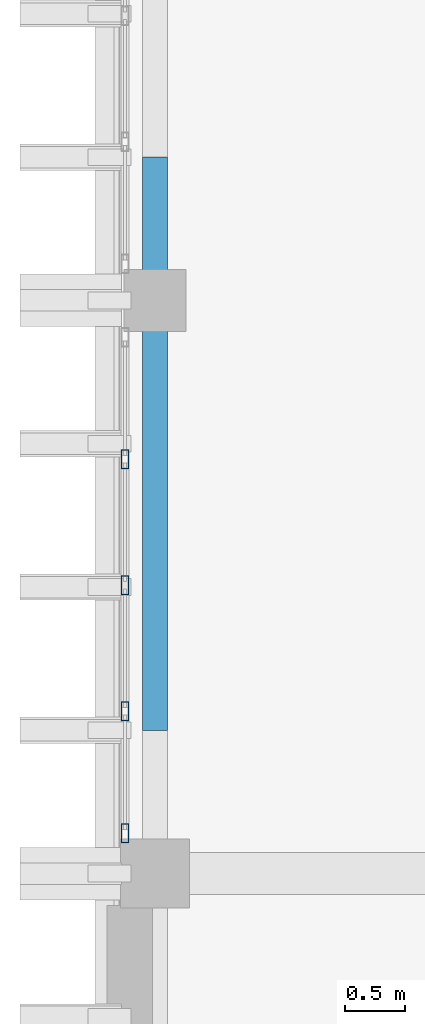
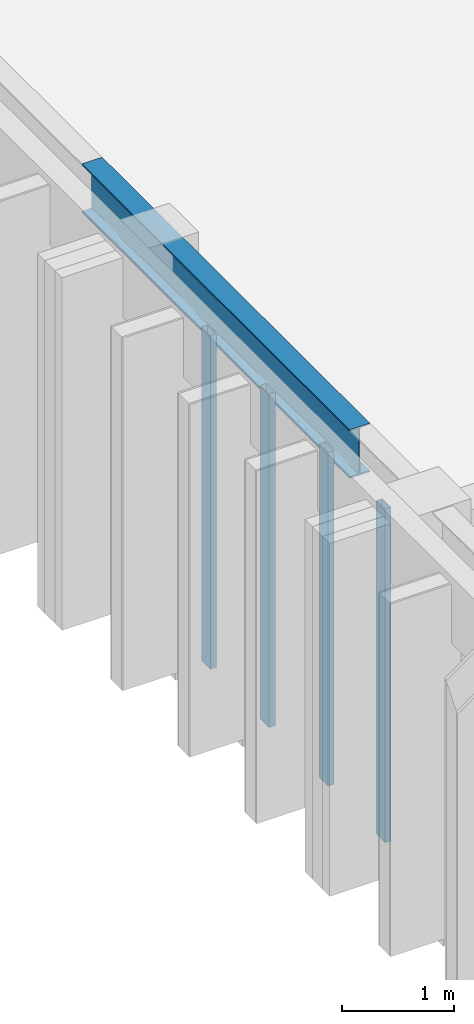
# One storey, part 4 of 49: 4 members, 1 beam, 1 element without a shape of its own.
"""IFC4 building model written with IfcOpenShell, lengths in metres."""

from ifc_helpers import new_model, si_unit, direction, frame, origin, origin_2d, place, context, subcontext, project, spatial, hollow_rectangle, i_section, extrude, material, layer, layer_set, material_profile, profile_set, type_object, element, aggregate, save


model = new_model("IFC4")

# Units and contexts
model_context = context("Model", 3, precision=1e-05, world=origin(), true_north=direction((0.0, 1.0)))
body_context = subcontext(model_context, "Body", "Model", "MODEL_VIEW")
ifc_project = project(units=[si_unit("LENGTHUNIT", "METRE"), si_unit("AREAUNIT", "SQUARE_METRE"), si_unit("VOLUMEUNIT", "CUBIC_METRE"), si_unit("PLANEANGLEUNIT", "RADIAN"), si_unit("MASSUNIT", "GRAM", prefix="KILO")], contexts=[model_context])

# Site, building, storey
site_placement = place(None, origin())
site = spatial("IfcSite", under=ifc_project, at=site_placement, CompositionType="ELEMENT")
building_placement = place(site_placement, origin())
building = spatial("IfcBuilding", under=site, at=building_placement, Name="Nakhvara Creek Congress Hotel", CompositionType="ELEMENT")
storey_placement = place(building_placement, frame((0.0, 0.0, 46.5)))
storey = spatial("IfcBuildingStorey", under=building, at=storey_placement, Name="L11", CompositionType="ELEMENT", Elevation=46.5)

# Beam
ifc_material_1 = material(Name="Steel S355J2", Category="steel")
ifc_material_profile_1 = material_profile(ifc_material_1, i_section(OverallWidth=0.209228515625, OverallDepth=0.533203125, WebThickness=0.010009765625, FlangeThickness=0.015625, FilletRadius=0.0126953125, at=origin_2d()), Name="UB 533x210x92", Category="LoadBearing")
ifc_profile_set_1 = profile_set([ifc_material_profile_1], Name="Steel S355J2")
beam_type = type_object("IfcBeamType", Name="BM-ST-UB533", PredefinedType="BEAM", material=ifc_profile_set_1)
beam_placement = place(storey_placement, frame((149.449951171875, 78.0, 3.6201171875), z_axis=(0.0, 1.0, 0.0), x_axis=(-1.0, 0.0, 0.0)))
element("IfcBeam", 1, at=beam_placement, inside=storey, type_object=beam_type, Name="Hotel Gable Eave Beam W-02", PredefinedType="BEAM", context=body_context, shape_type="SweptSolid", body=[
    extrude(i_section(OverallWidth=0.209228515625, OverallDepth=0.533203125, WebThickness=0.010009765625, FlangeThickness=0.015625, FilletRadius=0.0126953125, at=origin_2d()), origin(), (0.0, 0.0, 1.0), 4.800048828125),
])

# Curtain wall, members
ifc_material_2 = material(Name="Bronze-anodised aluminium AW-6063-T6 and double-silver low-E glass", Category="aluminium")
ifc_layer = layer(ifc_material_2, 0.199951171875)
ifc_layer_set = layer_set([ifc_layer], Name="Bronze-anodised aluminium AW-6063-T6 and double-silver low-E glass")
curtain_wall_type = type_object("IfcCurtainWallType", Name="CW-HTL-UNIT", PredefinedType="USERDEFINED", material=ifc_layer_set)
curtain_wall_placement = place(storey_placement, origin())
curtain_wall = element("IfcCurtainWall", 2, at=curtain_wall_placement, inside=storey, type_object=curtain_wall_type, Name="Curtain Wall CW335", ObjectType="UNITISED", PredefinedType="USERDEFINED")
ifc_material_3 = material(Name="Bronze-anodised aluminium AW-6063-T6", Category="aluminium")
ifc_material_profile_2 = material_profile(ifc_material_3, hollow_rectangle(XDim=0.06494140625, YDim=0.159912109375, WallThickness=0.00390625, at=origin_2d()), Name="ALU-MULL 65x160x4", Category="LoadBearing")
ifc_profile_set_2 = profile_set([ifc_material_profile_2], Name="Bronze-anodised aluminium AW-6063-T6")
member_type = type_object("IfcMemberType", Name="CW-MULL-160", PredefinedType="MULLION", material=ifc_profile_set_2)
member_1_placement = place(storey_placement, frame((149.199951171875, 77.137451171875, 0.0), z_axis=(0.0, 0.0, 1.0), x_axis=(-1.0, 0.0, 0.0)))
member_1 = element("IfcMember", 3, at=member_1_placement, type_object=member_type, Name="CW335 mullion 1", PredefinedType="MULLION", context=body_context, shape_type="SweptSolid", body=[
    extrude(hollow_rectangle(XDim=0.06494140625, YDim=0.159912109375, WallThickness=0.00390625, at=origin_2d()), origin(), (0.0, 0.0, 1.0), 3.64990234375),
])
member_2_placement = place(storey_placement, frame((149.199951171875, 78.159912109375, 0.0), z_axis=(0.0, 0.0, 1.0), x_axis=(-1.0, 0.0, 0.0)))
member_2 = element("IfcMember", 4, at=member_2_placement, type_object=member_type, Name="CW335 mullion 2", PredefinedType="MULLION", context=body_context, shape_type="SweptSolid", body=[
    extrude(hollow_rectangle(XDim=0.06494140625, YDim=0.159912109375, WallThickness=0.00390625, at=origin_2d()), origin(), (0.0, 0.0, 1.0), 3.64990234375),
])
member_3_placement = place(storey_placement, frame((149.199951171875, 79.215087890625, 0.0), z_axis=(0.0, 0.0, 1.0), x_axis=(-1.0, 0.0, 0.0)))
member_3 = element("IfcMember", 5, at=member_3_placement, type_object=member_type, Name="CW335 mullion 3", PredefinedType="MULLION", context=body_context, shape_type="SweptSolid", body=[
    extrude(hollow_rectangle(XDim=0.06494140625, YDim=0.159912109375, WallThickness=0.00390625, at=origin_2d()), origin(), (0.0, 0.0, 1.0), 3.64990234375),
])
member_4_placement = place(storey_placement, frame((149.199951171875, 80.27001953125, 0.0), z_axis=(0.0, 0.0, 1.0), x_axis=(-1.0, 0.0, 0.0)))
member_4 = element("IfcMember", 6, at=member_4_placement, type_object=member_type, Name="CW335 mullion 4", PredefinedType="MULLION", context=body_context, shape_type="SweptSolid", body=[
    extrude(hollow_rectangle(XDim=0.06494140625, YDim=0.159912109375, WallThickness=0.00390625, at=origin_2d()), origin(), (0.0, 0.0, 1.0), 3.64990234375),
])
aggregate(curtain_wall, [member_1, member_2, member_3, member_4])

save(model, "model.ifc")
